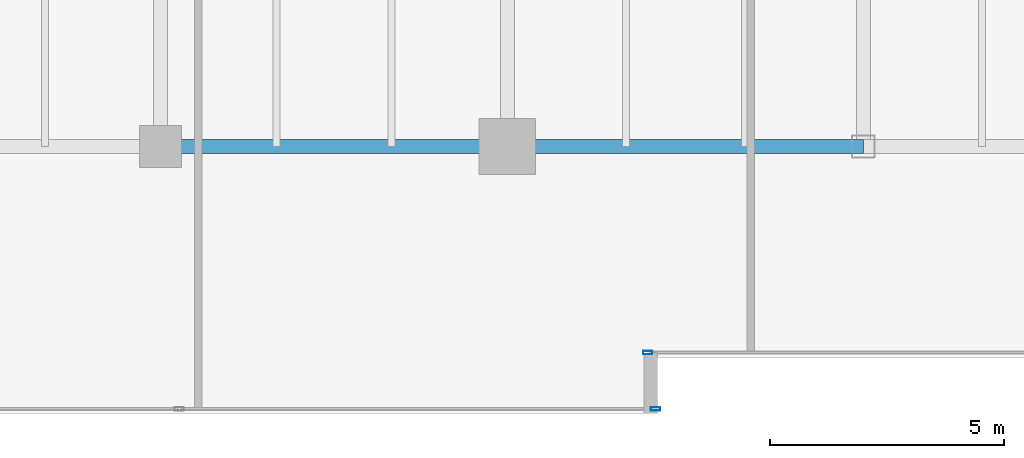
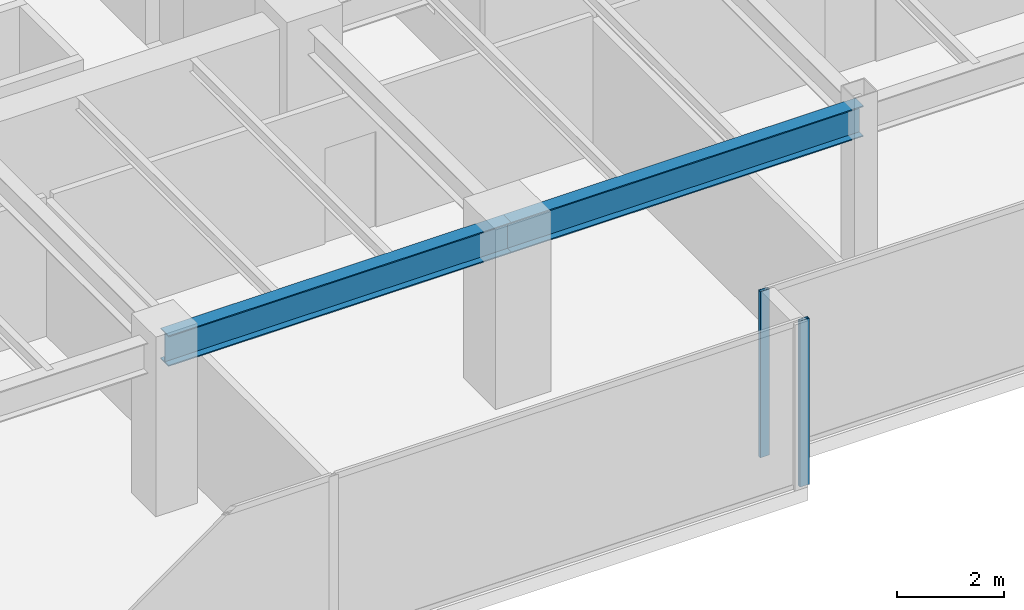
# One storey, part 4 of 30: 2 beams, 2 members, 2 elements without a shape of their own.
"""IFC4 building model written with IfcOpenShell, lengths in metres."""

from ifc_helpers import new_model, si_unit, direction, frame, origin, origin_2d, place, context, subcontext, project, spatial, hollow_rectangle, i_section, extrude, source, transform, mapped, material, layer, layer_set, material_profile, profile_set, type_object, type_shapes, element, aggregate, save


model = new_model("IFC4")

# Units and contexts
model_context = context("Model", 3, precision=1e-05, world=origin(), true_north=direction((0.0, 1.0)))
body_context = subcontext(model_context, "Body", "Model", "MODEL_VIEW")
ifc_project = project(units=[si_unit("LENGTHUNIT", "METRE"), si_unit("AREAUNIT", "SQUARE_METRE"), si_unit("VOLUMEUNIT", "CUBIC_METRE"), si_unit("PLANEANGLEUNIT", "RADIAN"), si_unit("MASSUNIT", "GRAM", prefix="KILO")], contexts=[model_context])

# Site, building, storey
site_placement = place(None, origin())
site = spatial("IfcSite", under=ifc_project, at=site_placement, CompositionType="ELEMENT")
building_placement = place(site_placement, origin())
building = spatial("IfcBuilding", under=site, at=building_placement, Name="Haelvirn Gate Laboratories", CompositionType="ELEMENT")
storey_placement = place(building_placement, frame((0.0, 0.0, 183.0)))
storey = spatial("IfcBuildingStorey", under=building, at=storey_placement, Name="L44", CompositionType="ELEMENT", Elevation=183.0)

# Beams
ifc_material_1 = material(Name="Steel SM355", Category="steel")
ifc_material_profile_1 = material_profile(ifc_material_1, i_section(OverallWidth=0.300048828125, OverallDepth=0.699951171875, WebThickness=0.012939453125, FlangeThickness=0.02392578125, at=origin_2d()), Name="H-700x300x13x24")
ifc_profile_set_1 = profile_set([ifc_material_profile_1], Name="Steel SM355")
beam_type = type_object("IfcBeamType", Name="BM-G-700", PredefinedType="BEAM", material=ifc_profile_set_1)
shared_shape_1 = source(origin(), body_context, "Body", "SweptSolid", [
    extrude(i_section(OverallWidth=0.300048828125, OverallDepth=0.699951171875, WebThickness=0.012939453125, FlangeThickness=0.02392578125, at=origin_2d()), origin(), (0.0, 0.0, 1.0), 7.39990234375),
])
beam_1_placement = place(storey_placement, frame((14.800048828125, 7.0, 3.43994140625), z_axis=(1.0, 0.0, 0.0), x_axis=(0.0, 1.0, 0.0)))
element("IfcBeam", 1, at=beam_1_placement, inside=storey, type_object=beam_type, Name="L44 Primary Girder Y7.0 (14.8-22.2)", PredefinedType="BEAM", context=body_context, shape_type="MappedRepresentation", body=[
    mapped(shared_shape_1, transform((0.0, 0.0, 0.0), scale=1.0)),
])
shared_shape_2 = source(origin(), body_context, "Body", "SweptSolid", [
    extrude(i_section(OverallWidth=0.300048828125, OverallDepth=0.699951171875, WebThickness=0.012939453125, FlangeThickness=0.02392578125, at=origin_2d()), origin(), (0.0, 0.0, 1.0), 7.60009765625),
])
type_shapes(beam_type, [shared_shape_1, shared_shape_2])
beam_2_placement = place(storey_placement, frame((22.199951171875, 7.0, 3.43994140625), z_axis=(1.0, 0.0, 0.0), x_axis=(0.0, 1.0, 0.0)))
element("IfcBeam", 2, at=beam_2_placement, inside=storey, type_object=beam_type, Name="L44 Primary Girder Y7.0 (22.2-29.8)", PredefinedType="BEAM", context=body_context, shape_type="MappedRepresentation", body=[
    mapped(shared_shape_2, transform((0.0, 0.0, 0.0), scale=1.0)),
])

# Curtain wall, member
ifc_material_2 = material(Name="Anodised bronze unitised aluminium & triple low-E glass", Category="aluminium")
ifc_layer = layer(ifc_material_2, 0.179931640625, Name="CW-SYS-3")
ifc_layer_set = layer_set([ifc_layer], Name="Anodised bronze unitised aluminium & triple low-E glass")
curtain_wall_type = type_object("IfcCurtainWallType", Name="CW-SYS-3", PredefinedType="NOTDEFINED", material=ifc_layer_set)
curtain_wall_1_placement = place(storey_placement, origin())
curtain_wall_1 = element("IfcCurtainWall", 3, at=curtain_wall_1_placement, inside=storey, type_object=curtain_wall_type, Name="L44 Unitised Curtain Wall CW-L44-P0-E00-1", PredefinedType="NOTDEFINED")
ifc_material_3 = material(Name="Extruded aluminium 6063-T6 (anodised bronze)", Category="aluminium")
ifc_material_profile_2 = material_profile(ifc_material_3, hollow_rectangle(XDim=0.074951171875, YDim=0.199951171875, WallThickness=0.0048828125, at=origin_2d()), Name="CWM-200x75x5")
ifc_profile_set_2 = profile_set([ifc_material_profile_2], Name="Extruded aluminium 6063-T6 (anodised bronze)")
member_type = type_object("IfcMemberType", Name="CWM-T200", PredefinedType="MULLION", material=ifc_profile_set_2)
shared_shape_3 = source(origin(), body_context, "Body", "SweptSolid", [
    extrude(hollow_rectangle(XDim=0.074951171875, YDim=0.199951171875, WallThickness=0.0048828125, at=origin_2d()), origin(), (0.0, 0.0, 1.0), 3.7900390625),
])
type_shapes(member_type, [shared_shape_3])
member_1_placement = place(storey_placement, frame((25.362548828125, 1.39990234375, 0.0), z_axis=(0.0, 0.0, 1.0), x_axis=(0.0, 1.0, 0.0)))
member_1 = element("IfcMember", 4, at=member_1_placement, type_object=member_type, Name="CW3 mullion 3", PredefinedType="MULLION", context=body_context, shape_type="MappedRepresentation", body=[
    mapped(shared_shape_3, transform((0.0, 0.0, 0.0), scale=1.0)),
])
aggregate(curtain_wall_1, [member_1])

curtain_wall_2_placement = place(storey_placement, origin())
curtain_wall_2 = element("IfcCurtainWall", 5, at=curtain_wall_2_placement, inside=storey, type_object=curtain_wall_type, Name="L44 Unitised Curtain Wall CW-L44-P0-E02-1", PredefinedType="NOTDEFINED")
member_2_placement = place(storey_placement, frame((25.197509765625, 2.60009765625, 0.0), z_axis=(0.0, 0.0, 1.0), x_axis=(0.0, 1.0, 0.0)))
member_2 = element("IfcMember", 6, at=member_2_placement, type_object=member_type, Name="CW3 mullion 1", PredefinedType="MULLION", context=body_context, shape_type="MappedRepresentation", body=[
    mapped(shared_shape_3, transform((0.0, 0.0, 0.0), scale=1.0)),
])
aggregate(curtain_wall_2, [member_2])

save(model, "model.ifc")
